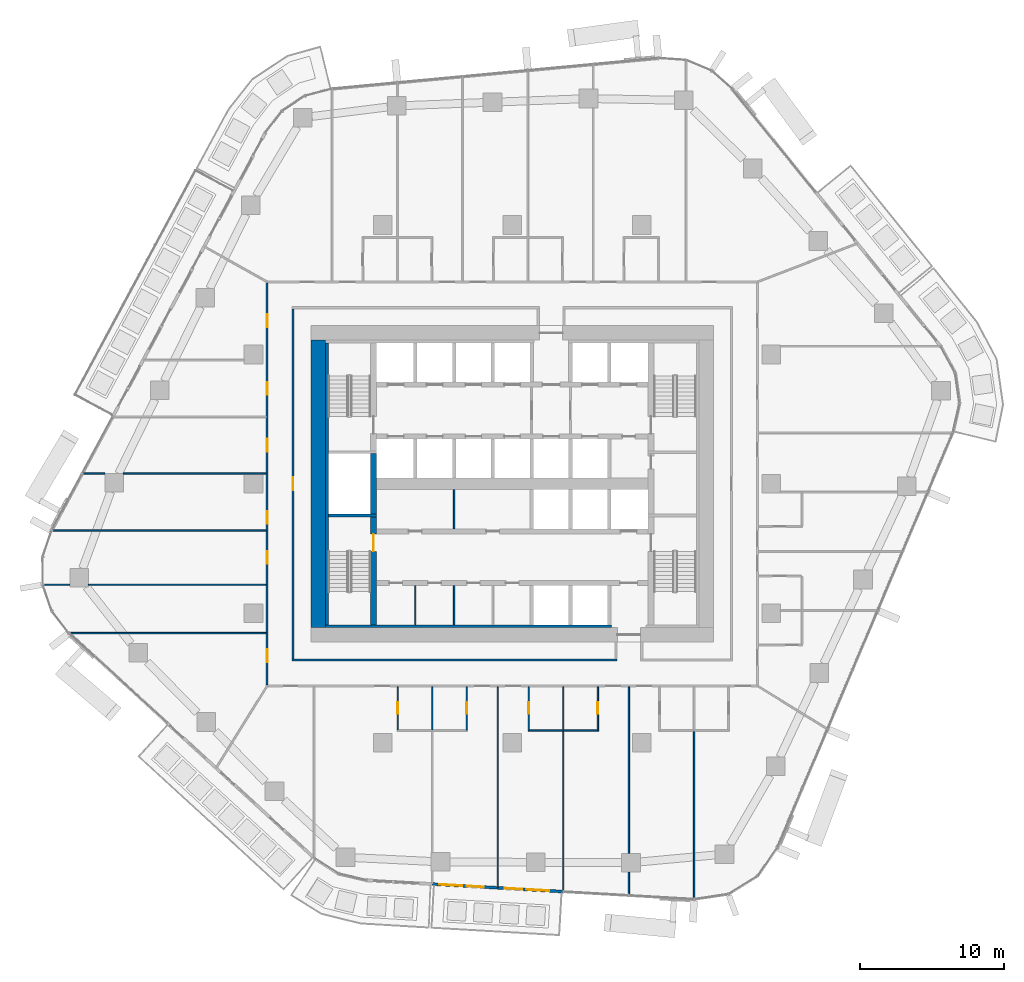
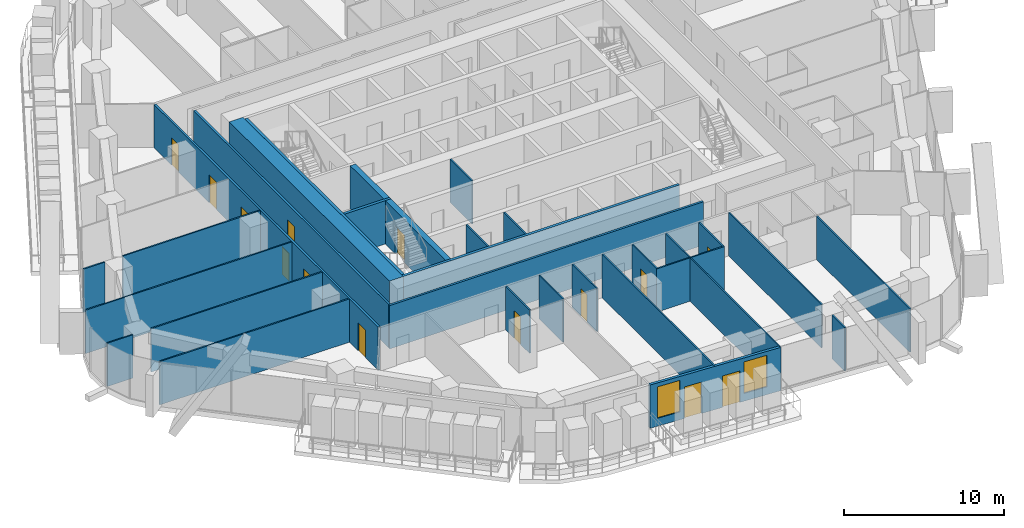
# One storey, part 12 of 23: 31 walls, 14 doors, 2 windows, 16 openings.
"""IFC4 building model written with IfcOpenShell, lengths in metres."""

from ifc_helpers import new_model, si_unit, direction, frame, frame_2d, origin, place, context, subcontext, project, spatial, rectangle, extrude, material, layer, layer_set, type_object, element, fill, save


model = new_model("IFC4")

# Units and contexts
model_context = context("Model", 3, precision=1e-05, world=origin(), true_north=direction((0.0, 1.0)))
body_context = subcontext(model_context, "Body", "Model", "MODEL_VIEW")
ifc_project = project(units=[si_unit("LENGTHUNIT", "METRE"), si_unit("AREAUNIT", "SQUARE_METRE"), si_unit("VOLUMEUNIT", "CUBIC_METRE"), si_unit("PLANEANGLEUNIT", "RADIAN"), si_unit("MASSUNIT", "GRAM", prefix="KILO")], contexts=[model_context])

# Site, building, storey
site_placement = place(None, origin())
site = spatial("IfcSite", under=ifc_project, at=site_placement, CompositionType="ELEMENT")
building_placement = place(site_placement, origin())
building = spatial("IfcBuilding", under=site, at=building_placement, Name="Dongbaek Canopy Tower", CompositionType="ELEMENT")
storey_placement = place(building_placement, frame((0.0, 0.0, 121.10009765625)))
storey = spatial("IfcBuildingStorey", under=building, at=storey_placement, Name="L26", CompositionType="ELEMENT", Elevation=121.10009765625)

# Walls
ifc_material_1 = material(Name="Concrete C60/75", Category="concrete")
ifc_layer_1 = layer(ifc_material_1, 1.0)
ifc_layer_set_1 = layer_set([ifc_layer_1], Name="Core outer wall 1000 Concrete C60/75")
wall_type_1 = type_object("IfcWallType", Name="Core outer wall 1000 Concrete C60/75", PredefinedType="SHEAR", material=ifc_layer_set_1)
wall_1_placement = place(storey_placement, frame((-13.5, -10.0, 0.0), z_axis=(0.0, 0.0, 1.0), x_axis=(0.0, 1.0, 0.0)))
element("IfcWall", 1, at=wall_1_placement, inside=storey, type_object=wall_type_1, Name="Core wall", PredefinedType="SHEAR", context=body_context, shape_type="SweptSolid", body=[
    extrude(rectangle(XDim=20.0, YDim=1.0, at=frame_2d((10.0, 0.0))), origin(), (0.0, 0.0, 1.0), 3.2998046875),
])
ifc_material_2 = material(Name="Concrete C60/75", Category="concrete")
ifc_layer_2 = layer(ifc_material_2, 0.199951171875)
ifc_layer_set_2 = layer_set([ifc_layer_2], Name="Core wall lining 200 Concrete C60/75")
wall_type_2 = type_object("IfcWallType", Name="Core wall lining 200 Concrete C60/75", PredefinedType="SHEAR", material=ifc_layer_set_2)
wall_2_placement = place(storey_placement, frame((6.89990234375, -9.89990234375, 0.0), z_axis=(0.0, 0.0, 1.0), x_axis=(-1.0, 0.0, 0.0)))
element("IfcWall", 2, at=wall_2_placement, inside=storey, type_object=wall_type_2, Name="Core wall lining", PredefinedType="SHEAR", context=body_context, shape_type="SweptSolid", body=[
    extrude(rectangle(XDim=19.89990234375, YDim=0.199951171875, at=frame_2d((9.949951171875, 0.0))), origin(), (0.0, 0.0, 1.0), 3.2998046875),
])
wall_3_placement = place(storey_placement, frame((-12.89990234375, -9.800048828125, 0.0), z_axis=(0.0, 0.0, 1.0), x_axis=(0.0, 1.0, 0.0)))
element("IfcWall", 3, at=wall_3_placement, inside=storey, type_object=wall_type_2, Name="Core wall lining", PredefinedType="SHEAR", context=body_context, shape_type="SweptSolid", body=[
    extrude(rectangle(XDim=19.60009765625, YDim=0.199951171875, at=frame_2d((9.800048828125, 0.0))), origin(), (0.0, 0.0, 1.0), 3.2998046875),
])
ifc_material_3 = material(Name="Gypsum board partition, steel stud, 2 x 15 mm fire board", Category="steel")
ifc_layer_3 = layer(ifc_material_3, 0.14990234375)
ifc_layer_set_3 = layer_set([ifc_layer_3], Name="Fire-rated partition 150 gypsum board")
wall_type_3 = type_object("IfcWallType", Name="Fire-rated partition 150 gypsum board", PredefinedType="PARTITIONING", material=ifc_layer_set_3)
wall_4_placement = place(storey_placement, frame((-15.324951171875, -12.25, 0.0), z_axis=(0.0, 0.0, 1.0), x_axis=(1.0, 0.0, 0.0)))
element("IfcWall", 4, at=wall_4_placement, inside=storey, type_object=wall_type_3, Name="Corridor partition", PredefinedType="PARTITIONING", context=body_context, shape_type="SweptSolid", body=[
    extrude(rectangle(XDim=22.599853515625, YDim=0.14990234375, at=frame_2d((11.2998046875, 0.0))), origin(), (0.0, 0.0, 1.0), 3.2998046875),
])

# Wall, opening, door
wall_5_placement = place(storey_placement, frame((-15.25, 12.175048828125, 0.0), z_axis=(0.0, 0.0, 1.0), x_axis=(0.0, -1.0, 0.0)))
wall_5 = element("IfcWall", 5, at=wall_5_placement, inside=storey, type_object=wall_type_3, Name="Corridor partition", PredefinedType="PARTITIONING", context=body_context, shape_type="SweptSolid", body=[
    extrude(rectangle(XDim=24.35009765625, YDim=0.14990234375, at=frame_2d((12.175048828125, 0.0))), origin(), (0.0, 0.0, 1.0), 3.2998046875),
])
opening_1_placement = place(wall_5_placement, frame((11.72509765625, 0.0, 0.0)))
opening_1 = element("IfcOpeningElement", 6, at=opening_1_placement, cuts=wall_5, Name="Opening L26-D041", PredefinedType="OPENING", context=body_context, shape_type="SweptSolid", body=[
    extrude(rectangle(XDim=0.89990234375, YDim=2.10009765625, at=frame_2d((0.449951171875, 1.050048828125))), frame((0.0, 0.0849609375, 0.0), z_axis=(0.0, -1.0, 0.0), x_axis=(1.0, 0.0, 0.0)), (0.0, 0.0, 1.0), 0.169921875),
])
ifc_material_4 = material(Name="Timber veneered door leaf", Category="wood")
door_type_1 = type_object("IfcDoorType", Name="Room door 900 x 2100", OperationType="SINGLE_SWING_LEFT", PredefinedType="DOOR", material=ifc_material_4)
door_1_placement = place(opening_1_placement, origin())
door_1 = element("IfcDoor", 7, at=door_1_placement, inside=storey, type_object=door_type_1, Name="Door L26-D041", OperationType="SINGLE_SWING_LEFT", OverallHeight=2.10009765625, OverallWidth=0.89990234375, PredefinedType="DOOR", context=body_context, shape_type="SweptSolid", body=[
    extrude(rectangle(XDim=0.89990234375, YDim=2.10009765625, at=frame_2d((0.449951171875, 1.050048828125))), frame((0.0, 0.02490234375, 0.0), z_axis=(0.0, -1.0, 0.0), x_axis=(1.0, 0.0, 0.0)), (0.0, 0.0, 1.0), 0.050048828125),
])
fill(opening_1, door_1)

# Wall, openings, doors
wall_6_placement = place(storey_placement, frame((-17.050048828125, -13.97509765625, 0.0), z_axis=(0.0, 0.0, 1.0), x_axis=(0.0, 1.0, 0.0)))
wall_6 = element("IfcWall", 8, at=wall_6_placement, inside=storey, type_object=wall_type_3, Name="Corridor partition", PredefinedType="PARTITIONING", context=body_context, shape_type="SweptSolid", body=[
    extrude(rectangle(XDim=27.9501953125, YDim=0.14990234375, at=frame_2d((13.97509765625, 0.0))), origin(), (0.0, 0.0, 1.0), 3.2998046875),
])
opening_2_placement = place(wall_6_placement, frame((11.186279296875, 0.0, 0.0)))
opening_2 = element("IfcOpeningElement", 9, at=opening_2_placement, cuts=wall_6, Name="Opening L26-D001", PredefinedType="OPENING", context=body_context, shape_type="SweptSolid", body=[
    extrude(rectangle(XDim=0.89990234375, YDim=2.10009765625, at=frame_2d((0.449951171875, 1.050048828125))), frame((0.0, 0.0849609375, 0.0), z_axis=(0.0, -1.0, 0.0), x_axis=(1.0, 0.0, 0.0)), (0.0, 0.0, 1.0), 0.169921875),
])
opening_3_placement = place(wall_6_placement, frame((8.403564453125, 0.0, 0.0)))
opening_3 = element("IfcOpeningElement", 10, at=opening_3_placement, cuts=wall_6, Name="Opening L26-D002", PredefinedType="OPENING", context=body_context, shape_type="SweptSolid", body=[
    extrude(rectangle(XDim=0.89990234375, YDim=2.10009765625, at=frame_2d((0.449951171875, 1.050048828125))), frame((0.0, 0.0849609375, 0.0), z_axis=(0.0, -1.0, 0.0), x_axis=(1.0, 0.0, 0.0)), (0.0, 0.0, 1.0), 0.169921875),
])
opening_4_placement = place(wall_6_placement, frame((1.580078125, 0.0, 0.0)))
opening_4 = element("IfcOpeningElement", 11, at=opening_4_placement, cuts=wall_6, Name="Opening L26-D003", PredefinedType="OPENING", context=body_context, shape_type="SweptSolid", body=[
    extrude(rectangle(XDim=0.89990234375, YDim=2.10009765625, at=frame_2d((0.449951171875, 1.050048828125))), frame((0.0, 0.0849609375, 0.0), z_axis=(0.0, -1.0, 0.0), x_axis=(1.0, 0.0, 0.0)), (0.0, 0.0, 1.0), 0.169921875),
])
opening_5_placement = place(wall_6_placement, frame((24.870849609375, 0.0, 0.0)))
opening_5 = element("IfcOpeningElement", 12, at=opening_5_placement, cuts=wall_6, Name="Opening L26-D038", PredefinedType="OPENING", context=body_context, shape_type="SweptSolid", body=[
    extrude(rectangle(XDim=0.89990234375, YDim=2.10009765625, at=frame_2d((0.449951171875, 1.050048828125))), frame((0.0, 0.0849609375, 0.0), z_axis=(0.0, -1.0, 0.0), x_axis=(1.0, 0.0, 0.0)), (0.0, 0.0, 1.0), 0.169921875),
])
opening_6_placement = place(wall_6_placement, frame((20.15869140625, 0.0, 0.0)))
opening_6 = element("IfcOpeningElement", 13, at=opening_6_placement, cuts=wall_6, Name="Opening L26-D039", PredefinedType="OPENING", context=body_context, shape_type="SweptSolid", body=[
    extrude(rectangle(XDim=0.89990234375, YDim=2.10009765625, at=frame_2d((0.449951171875, 1.050048828125))), frame((0.0, 0.0849609375, 0.0), z_axis=(0.0, -1.0, 0.0), x_axis=(1.0, 0.0, 0.0)), (0.0, 0.0, 1.0), 0.169921875),
])
opening_7_placement = place(wall_6_placement, frame((16.210693359375, 0.0, 0.0)))
opening_7 = element("IfcOpeningElement", 14, at=opening_7_placement, cuts=wall_6, Name="Opening L26-D040", PredefinedType="OPENING", context=body_context, shape_type="SweptSolid", body=[
    extrude(rectangle(XDim=0.89990234375, YDim=2.10009765625, at=frame_2d((0.449951171875, 1.050048828125))), frame((0.0, 0.0849609375, 0.0), z_axis=(0.0, -1.0, 0.0), x_axis=(1.0, 0.0, 0.0)), (0.0, 0.0, 1.0), 0.169921875),
])
door_2_placement = place(opening_2_placement, origin())
door_2 = element("IfcDoor", 15, at=door_2_placement, inside=storey, type_object=door_type_1, Name="Door L26-D001", OperationType="SINGLE_SWING_RIGHT", OverallHeight=2.10009765625, OverallWidth=0.89990234375, PredefinedType="DOOR", context=body_context, shape_type="SweptSolid", body=[
    extrude(rectangle(XDim=0.89990234375, YDim=2.10009765625, at=frame_2d((0.449951171875, 1.050048828125))), frame((0.0, 0.02490234375, 0.0), z_axis=(0.0, -1.0, 0.0), x_axis=(1.0, 0.0, 0.0)), (0.0, 0.0, 1.0), 0.050048828125),
])
fill(opening_2, door_2)
door_3_placement = place(opening_3_placement, origin())
door_3 = element("IfcDoor", 16, at=door_3_placement, inside=storey, type_object=door_type_1, Name="Door L26-D002", OperationType="SINGLE_SWING_LEFT", OverallHeight=2.10009765625, OverallWidth=0.89990234375, PredefinedType="DOOR", context=body_context, shape_type="SweptSolid", body=[
    extrude(rectangle(XDim=0.89990234375, YDim=2.10009765625, at=frame_2d((0.449951171875, 1.050048828125))), frame((0.0, 0.02490234375, 0.0), z_axis=(0.0, -1.0, 0.0), x_axis=(1.0, 0.0, 0.0)), (0.0, 0.0, 1.0), 0.050048828125),
])
fill(opening_3, door_3)
door_4_placement = place(opening_4_placement, origin())
door_4 = element("IfcDoor", 17, at=door_4_placement, inside=storey, type_object=door_type_1, Name="Door L26-D003", OperationType="SINGLE_SWING_LEFT", OverallHeight=2.10009765625, OverallWidth=0.89990234375, PredefinedType="DOOR", context=body_context, shape_type="SweptSolid", body=[
    extrude(rectangle(XDim=0.89990234375, YDim=2.10009765625, at=frame_2d((0.449951171875, 1.050048828125))), frame((0.0, 0.02490234375, 0.0), z_axis=(0.0, -1.0, 0.0), x_axis=(1.0, 0.0, 0.0)), (0.0, 0.0, 1.0), 0.050048828125),
])
fill(opening_4, door_4)
door_5_placement = place(opening_5_placement, origin())
door_5 = element("IfcDoor", 18, at=door_5_placement, inside=storey, type_object=door_type_1, Name="Door L26-D038", OperationType="SINGLE_SWING_RIGHT", OverallHeight=2.10009765625, OverallWidth=0.89990234375, PredefinedType="DOOR", context=body_context, shape_type="SweptSolid", body=[
    extrude(rectangle(XDim=0.89990234375, YDim=2.10009765625, at=frame_2d((0.449951171875, 1.050048828125))), frame((0.0, 0.02490234375, 0.0), z_axis=(0.0, -1.0, 0.0), x_axis=(1.0, 0.0, 0.0)), (0.0, 0.0, 1.0), 0.050048828125),
])
fill(opening_5, door_5)
door_6_placement = place(opening_6_placement, origin())
door_6 = element("IfcDoor", 19, at=door_6_placement, inside=storey, type_object=door_type_1, Name="Door L26-D039", OperationType="SINGLE_SWING_LEFT", OverallHeight=2.10009765625, OverallWidth=0.89990234375, PredefinedType="DOOR", context=body_context, shape_type="SweptSolid", body=[
    extrude(rectangle(XDim=0.89990234375, YDim=2.10009765625, at=frame_2d((0.449951171875, 1.050048828125))), frame((0.0, 0.02490234375, 0.0), z_axis=(0.0, -1.0, 0.0), x_axis=(1.0, 0.0, 0.0)), (0.0, 0.0, 1.0), 0.050048828125),
])
fill(opening_6, door_6)
door_7_placement = place(opening_7_placement, origin())
door_7 = element("IfcDoor", 20, at=door_7_placement, inside=storey, type_object=door_type_1, Name="Door L26-D040", OperationType="SINGLE_SWING_RIGHT", OverallHeight=2.10009765625, OverallWidth=0.89990234375, PredefinedType="DOOR", context=body_context, shape_type="SweptSolid", body=[
    extrude(rectangle(XDim=0.89990234375, YDim=2.10009765625, at=frame_2d((0.449951171875, 1.050048828125))), frame((0.0, 0.02490234375, 0.0), z_axis=(0.0, -1.0, 0.0), x_axis=(1.0, 0.0, 0.0)), (0.0, 0.0, 1.0), 0.050048828125),
])
fill(opening_7, door_7)

# Walls
ifc_material_5 = material(Name="Gypsum board partition, steel stud, 2 x 12.5 mm board", Category="steel")
ifc_layer_4 = layer(ifc_material_5, 0.10009765625)
ifc_layer_set_4 = layer_set([ifc_layer_4], Name="Partition 100 gypsum board")
wall_type_4 = type_object("IfcWallType", Name="Partition 100 gypsum board", PredefinedType="PARTITIONING", material=ifc_layer_set_4)
wall_7_placement = place(storey_placement, frame((1.09521484375, -17.14990234375, 0.0), z_axis=(0.0, 0.0, 1.0), x_axis=(1.0, 0.0, 0.0)))
element("IfcWall", 21, at=wall_7_placement, inside=storey, type_object=wall_type_4, Name="Partition", PredefinedType="PARTITIONING", context=body_context, shape_type="SweptSolid", body=[
    extrude(rectangle(XDim=4.89990234375, YDim=0.10009765625, at=frame_2d((2.449951171875, 0.0))), origin(), (0.0, 0.0, 1.0), 3.2998046875),
])
wall_8_placement = place(storey_placement, frame((-30.79296875, -10.383056640625, 0.0), z_axis=(0.0, 0.0, 1.0), x_axis=(1.0, 0.0, 0.0)))
element("IfcWall", 22, at=wall_8_placement, inside=storey, type_object=wall_type_4, Name="Partition", PredefinedType="PARTITIONING", context=body_context, shape_type="SweptSolid", body=[
    extrude(rectangle(XDim=13.66796875, YDim=0.10009765625, at=frame_2d((6.833984375, 0.0))), origin(), (0.0, 0.0, 1.0), 3.2998046875),
])
wall_9_placement = place(storey_placement, frame((-32.63525390625, -7.013916015625, 0.0), z_axis=(0.0, 0.0, 1.0), x_axis=(1.0, 0.0, 0.0)))
element("IfcWall", 23, at=wall_9_placement, inside=storey, type_object=wall_type_4, Name="Partition", PredefinedType="PARTITIONING", context=body_context, shape_type="SweptSolid", body=[
    extrude(rectangle(XDim=1.8603515625, YDim=0.10009765625, at=frame_2d((0.93017578125, 0.0))), origin(), (0.0, 0.0, 1.0), 3.2998046875),
])
wall_10_placement = place(storey_placement, frame((-29.47509765625, -7.013916015625, 0.0), z_axis=(0.0, 0.0, 1.0), x_axis=(1.0, 0.0, 0.0)))
element("IfcWall", 24, at=wall_10_placement, inside=storey, type_object=wall_type_4, Name="Partition", PredefinedType="PARTITIONING", context=body_context, shape_type="SweptSolid", body=[
    extrude(rectangle(XDim=12.35009765625, YDim=0.10009765625, at=frame_2d((6.175048828125, 0.0))), origin(), (0.0, 0.0, 1.0), 3.2998046875),
])
wall_11_placement = place(storey_placement, frame((-32.0107421875, -3.22900390625, 0.0), z_axis=(0.0, 0.0, 1.0), x_axis=(1.0, 0.0, 0.0)))
element("IfcWall", 25, at=wall_11_placement, inside=storey, type_object=wall_type_4, Name="Partition", PredefinedType="PARTITIONING", context=body_context, shape_type="SweptSolid", body=[
    extrude(rectangle(XDim=14.8857421875, YDim=0.10009765625, at=frame_2d((7.44287109375, 0.0))), origin(), (0.0, 0.0, 1.0), 3.2998046875),
])
wall_12_placement = place(storey_placement, frame((-29.892822265625, 0.7119140625, 0.0), z_axis=(0.0, 0.0, 1.0), x_axis=(1.0, 0.0, 0.0)))
element("IfcWall", 26, at=wall_12_placement, inside=storey, type_object=wall_type_4, Name="Partition", PredefinedType="PARTITIONING", context=body_context, shape_type="SweptSolid", body=[
    extrude(rectangle(XDim=1.5498046875, YDim=0.10009765625, at=frame_2d((0.77490234375, 0.0))), origin(), (0.0, 0.0, 1.0), 3.2998046875),
])
wall_13_placement = place(storey_placement, frame((-27.04296875, 0.7119140625, 0.0), z_axis=(0.0, 0.0, 1.0), x_axis=(1.0, 0.0, 0.0)))
element("IfcWall", 27, at=wall_13_placement, inside=storey, type_object=wall_type_4, Name="Partition", PredefinedType="PARTITIONING", context=body_context, shape_type="SweptSolid", body=[
    extrude(rectangle(XDim=9.91796875, YDim=0.10009765625, at=frame_2d((4.958984375, 0.0))), origin(), (0.0, 0.0, 1.0), 3.2998046875),
])
wall_14_placement = place(storey_placement, frame((12.64697265625, -28.864013671875, 0.0), z_axis=(0.0, 0.0, 1.0), x_axis=(0.0, 1.0, 0.0)))
element("IfcWall", 28, at=wall_14_placement, inside=storey, type_object=wall_type_4, Name="Partition", PredefinedType="PARTITIONING", context=body_context, shape_type="SweptSolid", body=[
    extrude(rectangle(XDim=11.6640625, YDim=0.10009765625, at=frame_2d((5.83203125, 0.0))), origin(), (0.0, 0.0, 1.0), 3.2998046875),
])
wall_15_placement = place(storey_placement, frame((8.10107421875, -28.601318359375, 0.0), z_axis=(0.0, 0.0, 1.0), x_axis=(0.0, 1.0, 0.0)))
element("IfcWall", 29, at=wall_15_placement, inside=storey, type_object=wall_type_4, Name="Partition", PredefinedType="PARTITIONING", context=body_context, shape_type="SweptSolid", body=[
    extrude(rectangle(XDim=1.602294921875, YDim=0.10009765625, at=frame_2d((0.80126953125, 0.0))), origin(), (0.0, 0.0, 1.0), 3.2998046875),
])
wall_16_placement = place(storey_placement, frame((8.10107421875, -25.698974609375, 0.0), z_axis=(0.0, 0.0, 1.0), x_axis=(0.0, 1.0, 0.0)))
element("IfcWall", 30, at=wall_16_placement, inside=storey, type_object=wall_type_4, Name="Partition", PredefinedType="PARTITIONING", context=body_context, shape_type="SweptSolid", body=[
    extrude(rectangle(XDim=11.573974609375, YDim=0.10009765625, at=frame_2d((5.787109375, 0.0))), origin(), (0.0, 0.0, 1.0), 3.2998046875),
])

# Wall, opening, door
wall_17_placement = place(storey_placement, frame((5.945068359375, -17.10009765625, 0.0), z_axis=(0.0, 0.0, 1.0), x_axis=(0.0, 1.0, 0.0)))
wall_17 = element("IfcWall", 31, at=wall_17_placement, inside=storey, type_object=wall_type_4, Name="Partition", PredefinedType="PARTITIONING", context=body_context, shape_type="SweptSolid", body=[
    extrude(rectangle(XDim=2.97509765625, YDim=0.10009765625, at=frame_2d((1.487548828125, 0.0))), origin(), (0.0, 0.0, 1.0), 3.2998046875),
])
opening_8_placement = place(wall_17_placement, frame((1.10009765625, 0.0, 0.0)))
opening_8 = element("IfcOpeningElement", 32, at=opening_8_placement, cuts=wall_17, Name="Opening L26-D011", PredefinedType="OPENING", context=body_context, shape_type="SweptSolid", body=[
    extrude(rectangle(XDim=0.800048828125, YDim=2.10009765625, at=frame_2d((0.39990234375, 1.050048828125))), frame((0.0, 0.06005859375, 0.0), z_axis=(0.0, -1.0, 0.0), x_axis=(1.0, 0.0, 0.0)), (0.0, 0.0, 1.0), 0.1201171875),
])
ifc_material_6 = material(Name="Timber veneered door leaf", Category="wood")
door_type_2 = type_object("IfcDoorType", Name="En-suite door 800 x 2100", OperationType="SINGLE_SWING_LEFT", PredefinedType="DOOR", material=ifc_material_6)
door_8_placement = place(opening_8_placement, origin())
door_8 = element("IfcDoor", 33, at=door_8_placement, inside=storey, type_object=door_type_2, Name="Door L26-D011", OperationType="SINGLE_SWING_LEFT", OverallHeight=2.10009765625, OverallWidth=0.800048828125, PredefinedType="DOOR", context=body_context, shape_type="SweptSolid", body=[
    extrude(rectangle(XDim=0.800048828125, YDim=2.10009765625, at=frame_2d((0.39990234375, 1.050048828125))), frame((0.0, 0.02490234375, 0.0), z_axis=(0.0, -1.0, 0.0), x_axis=(1.0, 0.0, 0.0)), (0.0, 0.0, 1.0), 0.050048828125),
])
fill(opening_8, door_8)

# Walls
wall_18_placement = place(storey_placement, frame((3.544921875, -28.337646484375, 0.0), z_axis=(0.0, 0.0, 1.0), x_axis=(0.0, 1.0, 0.0)))
element("IfcWall", 34, at=wall_18_placement, inside=storey, type_object=wall_type_4, Name="Partition", PredefinedType="PARTITIONING", context=body_context, shape_type="SweptSolid", body=[
    extrude(rectangle(XDim=11.1376953125, YDim=0.10009765625, at=frame_2d((5.56884765625, 0.0))), origin(), (0.0, 0.0, 1.0), 3.2998046875),
])
wall_19_placement = place(storey_placement, frame((3.544921875, -17.10009765625, 0.0), z_axis=(0.0, 0.0, 1.0), x_axis=(0.0, 1.0, 0.0)))
element("IfcWall", 35, at=wall_19_placement, inside=storey, type_object=wall_type_4, Name="Partition", PredefinedType="PARTITIONING", context=body_context, shape_type="SweptSolid", body=[
    extrude(rectangle(XDim=2.97509765625, YDim=0.10009765625, at=frame_2d((1.487548828125, 0.0))), origin(), (0.0, 0.0, 1.0), 3.2998046875),
])

# Wall, opening, door
wall_20_placement = place(storey_placement, frame((1.14501953125, -14.125, 0.0), z_axis=(0.0, 0.0, 1.0), x_axis=(0.0, -1.0, 0.0)))
wall_20 = element("IfcWall", 36, at=wall_20_placement, inside=storey, type_object=wall_type_4, Name="Partition", PredefinedType="PARTITIONING", context=body_context, shape_type="SweptSolid", body=[
    extrude(rectangle(XDim=3.02490234375, YDim=0.10009765625, at=frame_2d((1.512451171875, 0.0))), origin(), (0.0, 0.0, 1.0), 3.2998046875),
])
opening_9_placement = place(wall_20_placement, frame((1.074951171875, 0.0, 0.0)))
opening_9 = element("IfcOpeningElement", 37, at=opening_9_placement, cuts=wall_20, Name="Opening L26-D009", PredefinedType="OPENING", context=body_context, shape_type="SweptSolid", body=[
    extrude(rectangle(XDim=0.800048828125, YDim=2.10009765625, at=frame_2d((0.39990234375, 1.050048828125))), frame((0.0, 0.06005859375, 0.0), z_axis=(0.0, -1.0, 0.0), x_axis=(1.0, 0.0, 0.0)), (0.0, 0.0, 1.0), 0.1201171875),
])
door_9_placement = place(opening_9_placement, origin())
door_9 = element("IfcDoor", 38, at=door_9_placement, inside=storey, type_object=door_type_2, Name="Door L26-D009", OperationType="SINGLE_SWING_RIGHT", OverallHeight=2.10009765625, OverallWidth=0.800048828125, PredefinedType="DOOR", context=body_context, shape_type="SweptSolid", body=[
    extrude(rectangle(XDim=0.800048828125, YDim=2.10009765625, at=frame_2d((0.39990234375, 1.050048828125))), frame((0.0, 0.02490234375, 0.0), z_axis=(0.0, -1.0, 0.0), x_axis=(1.0, 0.0, 0.0)), (0.0, 0.0, 1.0), 0.050048828125),
])
fill(opening_9, door_9)

# Wall
wall_21_placement = place(storey_placement, frame((-1.010986328125, -28.07421875, 0.0), z_axis=(0.0, 0.0, 1.0), x_axis=(0.0, 1.0, 0.0)))
element("IfcWall", 39, at=wall_21_placement, inside=storey, type_object=wall_type_4, Name="Partition", PredefinedType="PARTITIONING", context=body_context, shape_type="SweptSolid", body=[
    extrude(rectangle(XDim=13.94921875, YDim=0.10009765625, at=frame_2d((6.974609375, 0.0))), origin(), (0.0, 0.0, 1.0), 3.2998046875),
])

# Wall, opening, door
wall_22_placement = place(storey_placement, frame((-3.1669921875, -17.14990234375, 0.0), z_axis=(0.0, 0.0, 1.0), x_axis=(0.0, 1.0, 0.0)))
wall_22 = element("IfcWall", 40, at=wall_22_placement, inside=storey, type_object=wall_type_4, Name="Partition", PredefinedType="PARTITIONING", context=body_context, shape_type="SweptSolid", body=[
    extrude(rectangle(XDim=3.02490234375, YDim=0.10009765625, at=frame_2d((1.512451171875, 0.0))), origin(), (0.0, 0.0, 1.0), 3.2998046875),
])
opening_10_placement = place(wall_22_placement, frame((1.14990234375, 0.0, 0.0)))
opening_10 = element("IfcOpeningElement", 41, at=opening_10_placement, cuts=wall_22, Name="Opening L26-D007", PredefinedType="OPENING", context=body_context, shape_type="SweptSolid", body=[
    extrude(rectangle(XDim=0.800048828125, YDim=2.10009765625, at=frame_2d((0.39990234375, 1.050048828125))), frame((0.0, 0.06005859375, 0.0), z_axis=(0.0, -1.0, 0.0), x_axis=(1.0, 0.0, 0.0)), (0.0, 0.0, 1.0), 0.1201171875),
])
door_10_placement = place(opening_10_placement, origin())
door_10 = element("IfcDoor", 42, at=door_10_placement, inside=storey, type_object=door_type_2, Name="Door L26-D007", OperationType="SINGLE_SWING_LEFT", OverallHeight=2.10009765625, OverallWidth=0.800048828125, PredefinedType="DOOR", context=body_context, shape_type="SweptSolid", body=[
    extrude(rectangle(XDim=0.800048828125, YDim=2.10009765625, at=frame_2d((0.39990234375, 1.050048828125))), frame((0.0, 0.02490234375, 0.0), z_axis=(0.0, -1.0, 0.0), x_axis=(1.0, 0.0, 0.0)), (0.0, 0.0, 1.0), 0.050048828125),
])
fill(opening_10, door_10)

# Wall
wall_23_placement = place(storey_placement, frame((-5.56689453125, -17.10009765625, 0.0), z_axis=(0.0, 0.0, 1.0), x_axis=(0.0, 1.0, 0.0)))
element("IfcWall", 43, at=wall_23_placement, inside=storey, type_object=wall_type_4, Name="Partition", PredefinedType="PARTITIONING", context=body_context, shape_type="SweptSolid", body=[
    extrude(rectangle(XDim=2.97509765625, YDim=0.10009765625, at=frame_2d((1.487548828125, 0.0))), origin(), (0.0, 0.0, 1.0), 3.2998046875),
])

# Wall, opening, door
wall_24_placement = place(storey_placement, frame((-7.967041015625, -14.125, 0.0), z_axis=(0.0, 0.0, 1.0), x_axis=(0.0, -1.0, 0.0)))
wall_24 = element("IfcWall", 44, at=wall_24_placement, inside=storey, type_object=wall_type_4, Name="Partition", PredefinedType="PARTITIONING", context=body_context, shape_type="SweptSolid", body=[
    extrude(rectangle(XDim=2.97509765625, YDim=0.10009765625, at=frame_2d((1.487548828125, 0.0))), origin(), (0.0, 0.0, 1.0), 3.2998046875),
])
opening_11_placement = place(wall_24_placement, frame((1.074951171875, 0.0, 0.0)))
opening_11 = element("IfcOpeningElement", 45, at=opening_11_placement, cuts=wall_24, Name="Opening L26-D005", PredefinedType="OPENING", context=body_context, shape_type="SweptSolid", body=[
    extrude(rectangle(XDim=0.800048828125, YDim=2.10009765625, at=frame_2d((0.39990234375, 1.050048828125))), frame((0.0, 0.06005859375, 0.0), z_axis=(0.0, -1.0, 0.0), x_axis=(1.0, 0.0, 0.0)), (0.0, 0.0, 1.0), 0.1201171875),
])
door_11_placement = place(opening_11_placement, origin())
door_11 = element("IfcDoor", 46, at=door_11_placement, inside=storey, type_object=door_type_2, Name="Door L26-D005", OperationType="SINGLE_SWING_RIGHT", OverallHeight=2.10009765625, OverallWidth=0.800048828125, PredefinedType="DOOR", context=body_context, shape_type="SweptSolid", body=[
    extrude(rectangle(XDim=0.800048828125, YDim=2.10009765625, at=frame_2d((0.39990234375, 1.050048828125))), frame((0.0, 0.02490234375, 0.0), z_axis=(0.0, -1.0, 0.0), x_axis=(1.0, 0.0, 0.0)), (0.0, 0.0, 1.0), 0.050048828125),
])
fill(opening_11, door_11)

# Walls
for number, where, z_axis, x_axis, name in (
    (47, (-4.050048828125, -9.800048828125, 0.0), (0.0, 0.0, 1.0), (0.0, 1.0, 0.0), "Core partition"),
    (48, (-4.050048828125, -3.125, 0.0), (0.0, 0.0, 1.0), (0.0, 1.0, 0.0), "Core partition"),
    (49, (-6.75, -9.800048828125, 0.0), (0.0, 0.0, 1.0), (0.0, 1.0, 0.0), "Core partition"),
):
    element("IfcWall", number, at=place(storey_placement, frame(where, z_axis=z_axis, x_axis=x_axis)), inside=storey, type_object=wall_type_4, Name=name, PredefinedType="PARTITIONING", context=body_context, shape_type="SweptSolid", body=[
        extrude(rectangle(XDim=2.72509765625, YDim=0.10009765625, at=frame_2d((1.362548828125, 0.0))), origin(), (0.0, 0.0, 1.0), 3.2998046875),
    ])
ifc_material_7 = material(Name="Concrete C60/75", Category="concrete")
ifc_layer_5 = layer(ifc_material_7, 0.199951171875)
ifc_layer_set_5 = layer_set([ifc_layer_5], Name="Riser wall 200 Concrete C60/75")
wall_type_5 = type_object("IfcWallType", Name="Riser wall 200 Concrete C60/75", PredefinedType="SHEAR", material=ifc_layer_set_5)
wall_25_placement = place(storey_placement, frame((-9.449951171875, -2.199951171875, 0.0), z_axis=(0.0, 0.0, 1.0), x_axis=(-1.0, 0.0, 0.0)))
element("IfcWall", 50, at=wall_25_placement, inside=storey, type_object=wall_type_5, Name="Riser wall", PredefinedType="SHEAR", context=body_context, shape_type="SweptSolid", body=[
    extrude(rectangle(XDim=3.35009765625, YDim=0.199951171875, at=frame_2d((1.675048828125, 0.0))), origin(), (0.0, 0.0, 1.0), 3.2998046875),
])

# Wall, opening, door
ifc_material_8 = material(Name="Concrete C60/75", Category="concrete")
ifc_layer_6 = layer(ifc_material_8, 0.39990234375)
ifc_layer_set_6 = layer_set([ifc_layer_6], Name="Stair wall 400 Concrete C60/75")
wall_type_6 = type_object("IfcWallType", Name="Stair wall 400 Concrete C60/75", PredefinedType="SHEAR", material=ifc_layer_set_6)
wall_26_placement = place(storey_placement, frame((-9.64990234375, -9.800048828125, 0.0), z_axis=(0.0, 0.0, 1.0), x_axis=(0.0, 1.0, 0.0)))
wall_26 = element("IfcWall", 51, at=wall_26_placement, inside=storey, type_object=wall_type_6, Name="Stair wall", PredefinedType="SHEAR", context=body_context, shape_type="SweptSolid", body=[
    extrude(rectangle(XDim=7.5, YDim=0.39990234375, at=frame_2d((3.75, 0.0))), origin(), (0.0, 0.0, 1.0), 3.2998046875),
])
opening_12_placement = place(wall_26_placement, frame((5.10009765625, 0.0, 0.0)))
opening_12 = element("IfcOpeningElement", 52, at=opening_12_placement, cuts=wall_26, Name="Opening L26-D071", PredefinedType="OPENING", context=body_context, shape_type="SweptSolid", body=[
    extrude(rectangle(XDim=1.199951171875, YDim=2.10009765625, at=frame_2d((0.60009765625, 1.050048828125))), frame((0.0, 0.2099609375, 0.0), z_axis=(0.0, -1.0, 0.0), x_axis=(1.0, 0.0, 0.0)), (0.0, 0.0, 1.0), 0.419921875),
])
ifc_material_9 = material(Name="Steel", Category="steel")
door_type_3 = type_object("IfcDoorType", Name="Stair door 1200 x 2100", OperationType="SINGLE_SWING_LEFT", PredefinedType="DOOR", material=ifc_material_9)
door_12_placement = place(opening_12_placement, origin())
door_12 = element("IfcDoor", 53, at=door_12_placement, inside=storey, type_object=door_type_3, Name="Stair D door", OperationType="SINGLE_SWING_LEFT", OverallHeight=2.10009765625, OverallWidth=1.199951171875, PredefinedType="DOOR", context=body_context, shape_type="SweptSolid", body=[
    extrude(rectangle(XDim=1.199951171875, YDim=2.10009765625, at=frame_2d((0.60009765625, 1.050048828125))), frame((0.0, 0.02490234375, 0.0), z_axis=(0.0, -1.0, 0.0), x_axis=(1.0, 0.0, 0.0)), (0.0, 0.0, 1.0), 0.050048828125),
])
fill(opening_12, door_12)

# Wall
wall_27_placement = place(storey_placement, frame((-9.64990234375, -2.10009765625, 0.0), z_axis=(0.0, 0.0, 1.0), x_axis=(0.0, 1.0, 0.0)))
element("IfcWall", 54, at=wall_27_placement, inside=storey, type_object=wall_type_6, Name="Stair wall", PredefinedType="SHEAR", context=body_context, shape_type="SweptSolid", body=[
    extrude(rectangle(XDim=4.2001953125, YDim=0.39990234375, at=frame_2d((2.10009765625, 0.0))), origin(), (0.0, 0.0, 1.0), 3.2998046875),
])

# Wall, openings, doors, windows
ifc_material_10 = material(Name="Aluminium window wall", Category="aluminium")
ifc_layer_7 = layer(ifc_material_10, 0.199951171875)
ifc_layer_set_7 = layer_set([ifc_layer_7], Name="Window wall 200")
wall_type_7 = type_object("IfcWallType", Name="Window wall 200", PredefinedType="SOLIDWALL", material=ifc_layer_set_7)
wall_28_placement = place(storey_placement, frame((-5.567138671875, -27.83056640625, 0.0), z_axis=(0.0, 0.0, 1.0), x_axis=(0.998331175274, -0.057748285484, 0.0)))
wall_28 = element("IfcWall", 55, at=wall_28_placement, inside=storey, type_object=wall_type_7, Name="Window wall L26 4", PredefinedType="SOLIDWALL", context=body_context, shape_type="SweptSolid", body=[
    extrude(rectangle(XDim=9.12744140625, YDim=0.199951171875, at=frame_2d((4.563720703125, 0.0))), origin(), (0.0, 0.0, 1.0), 3.2998046875),
])
opening_13_placement = place(wall_28_placement, frame((0.5, 0.0, 0.60009765625)))
opening_13 = element("IfcOpeningElement", 56, at=opening_13_placement, cuts=wall_28, Name="Opening W1", PredefinedType="OPENING", context=body_context, shape_type="SweptSolid", body=[
    extrude(rectangle(XDim=1.60009765625, YDim=2.39990234375, at=frame_2d((0.800048828125, 1.199951171875))), frame((0.0, 0.10986328125, 0.0), z_axis=(0.0, -1.0, 0.0), x_axis=(1.0, 0.0, 0.0)), (0.0, 0.0, 1.0), 0.219970703125),
])
opening_14_placement = place(wall_28_placement, frame((2.39990234375, 0.0, 0.0)))
opening_14 = element("IfcOpeningElement", 57, at=opening_14_placement, cuts=wall_28, Name="Opening L26-B12", PredefinedType="OPENING", context=body_context, shape_type="SweptSolid", body=[
    extrude(rectangle(XDim=1.199951171875, YDim=2.39990234375, at=frame_2d((0.60009765625, 1.199951171875))), frame((0.0, 0.10986328125, 0.0), z_axis=(0.0, -1.0, 0.0), x_axis=(1.0, 0.0, 0.0)), (0.0, 0.0, 1.0), 0.219970703125),
])
opening_15_placement = place(wall_28_placement, frame((6.563720703125, 0.0, 0.60009765625)))
opening_15 = element("IfcOpeningElement", 58, at=opening_15_placement, cuts=wall_28, Name="Opening W1", PredefinedType="OPENING", context=body_context, shape_type="SweptSolid", body=[
    extrude(rectangle(XDim=1.60009765625, YDim=2.39990234375, at=frame_2d((0.800048828125, 1.199951171875))), frame((0.0, 0.10986328125, 0.0), z_axis=(0.0, -1.0, 0.0), x_axis=(1.0, 0.0, 0.0)), (0.0, 0.0, 1.0), 0.219970703125),
])
opening_16_placement = place(wall_28_placement, frame((5.063720703125, 0.0, 0.0)))
opening_16 = element("IfcOpeningElement", 59, at=opening_16_placement, cuts=wall_28, Name="Opening L26-B13", PredefinedType="OPENING", context=body_context, shape_type="SweptSolid", body=[
    extrude(rectangle(XDim=1.199951171875, YDim=2.39990234375, at=frame_2d((0.60009765625, 1.199951171875))), frame((0.0, 0.10986328125, 0.0), z_axis=(0.0, -1.0, 0.0), x_axis=(1.0, 0.0, 0.0)), (0.0, 0.0, 1.0), 0.219970703125),
])
ifc_material_11 = material(Name="Clear glazing in aluminium frame", Category="aluminium")
door_type_4 = type_object("IfcDoorType", Name="Balcony door BD1 1200 x 2400", OperationType="SLIDING_TO_LEFT", PredefinedType="DOOR", material=ifc_material_11)
door_13_placement = place(opening_14_placement, origin())
door_13 = element("IfcDoor", 60, at=door_13_placement, inside=storey, type_object=door_type_4, Name="Balcony door L26-B12", OperationType="SLIDING_TO_LEFT", OverallHeight=2.39990234375, OverallWidth=1.199951171875, PredefinedType="DOOR", context=body_context, shape_type="SweptSolid", body=[
    extrude(rectangle(XDim=1.199951171875, YDim=2.39990234375, at=frame_2d((0.60009765625, 1.199951171875))), frame((0.0, 0.02490234375, 0.0), z_axis=(0.0, -1.0, 0.0), x_axis=(1.0, 0.0, 0.0)), (0.0, 0.0, 1.0), 0.050048828125),
])
fill(opening_14, door_13)
door_14_placement = place(opening_16_placement, origin())
door_14 = element("IfcDoor", 61, at=door_14_placement, inside=storey, type_object=door_type_4, Name="Balcony door L26-B13", OperationType="SLIDING_TO_LEFT", OverallHeight=2.39990234375, OverallWidth=1.199951171875, PredefinedType="DOOR", context=body_context, shape_type="SweptSolid", body=[
    extrude(rectangle(XDim=1.199951171875, YDim=2.39990234375, at=frame_2d((0.60009765625, 1.199951171875))), frame((0.0, 0.02490234375, 0.0), z_axis=(0.0, -1.0, 0.0), x_axis=(1.0, 0.0, 0.0)), (0.0, 0.0, 1.0), 0.050048828125),
])
fill(opening_16, door_14)
ifc_material_12 = material(Name="Clear glazing in aluminium frame", Category="aluminium")
window_type = type_object("IfcWindowType", Name="Window W1 1600 x 2400", PartitioningType="SINGLE_PANEL", PredefinedType="WINDOW", material=ifc_material_12)
window_1_placement = place(opening_13_placement, origin())
window_1 = element("IfcWindow", 62, at=window_1_placement, inside=storey, type_object=window_type, Name="Window L26 4.1", OverallHeight=2.39990234375, OverallWidth=1.60009765625, PartitioningType="SINGLE_PANEL", PredefinedType="WINDOW", context=body_context, shape_type="SweptSolid", body=[
    extrude(rectangle(XDim=1.60009765625, YDim=2.39990234375, at=frame_2d((0.800048828125, 1.199951171875))), frame((0.0, 0.030029296875, 0.0), z_axis=(0.0, -1.0, 0.0), x_axis=(1.0, 0.0, 0.0)), (0.0, 0.0, 1.0), 0.06005859375),
])
fill(opening_13, window_1)
window_2_placement = place(opening_15_placement, origin())
window_2 = element("IfcWindow", 63, at=window_2_placement, inside=storey, type_object=window_type, Name="Window L26 4.2", OverallHeight=2.39990234375, OverallWidth=1.60009765625, PartitioningType="SINGLE_PANEL", PredefinedType="WINDOW", context=body_context, shape_type="SweptSolid", body=[
    extrude(rectangle(XDim=1.60009765625, YDim=2.39990234375, at=frame_2d((0.800048828125, 1.199951171875))), frame((0.0, 0.030029296875, 0.0), z_axis=(0.0, -1.0, 0.0), x_axis=(1.0, 0.0, 0.0)), (0.0, 0.0, 1.0), 0.06005859375),
])
fill(opening_15, window_2)

save(model, "model.ifc")
